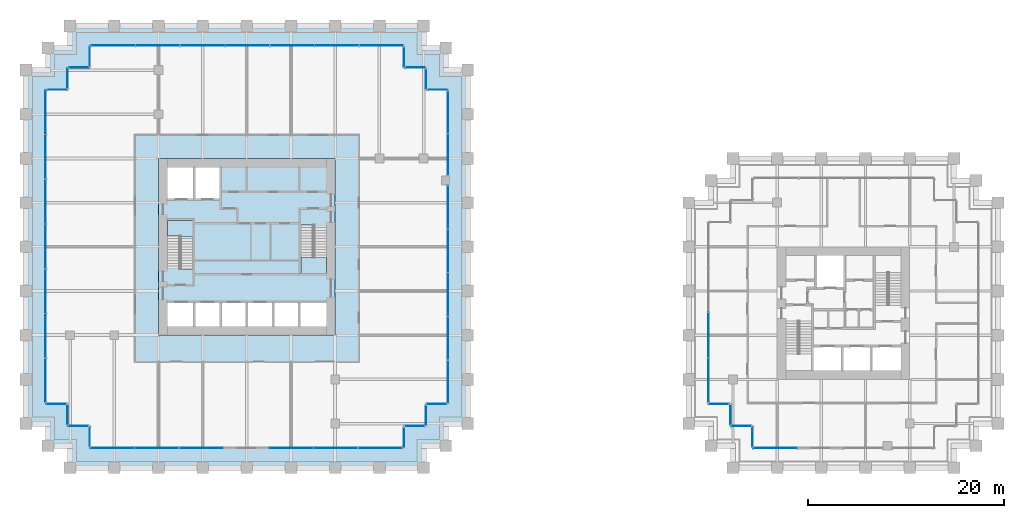
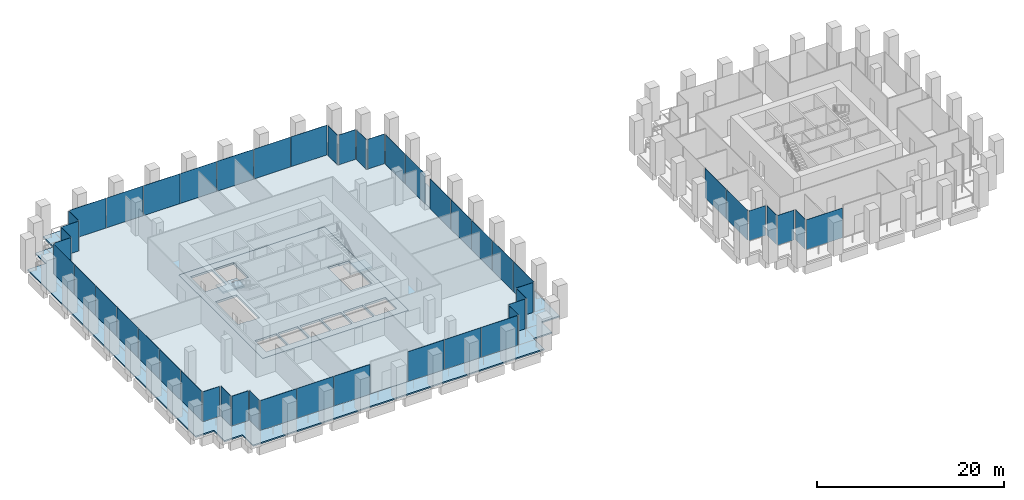
# One storey, part 28 of 36: 50 plates, 5 slabs, 30 elements without a shape of their own.
"""IFC4 building model written with IfcOpenShell, lengths in metres."""

import ifcopenshell
import ifcopenshell.guid

model = None  # the IFC model being written
_history = None  # IfcOwnerHistory: only IFC2X3 demands one
_inside = {}  # id of a spatial element -> (the spatial element, [elements in it])
_under = {}  # id of a project, library or spatial element -> (it, [spatial elements below it])
_declared = {}  # id of a project -> (the project, [libraries it declares])
_typed = {}  # id of a type object -> (the type object, [elements of that type])
_made_of = {}  # id of a material, layer set ... -> (it, [elements and type objects made of it])


def new_model(schema):
    """Start an empty IFC model of exactly this schema.

    Asked for "IFC4X3", IfcOpenShell would pick the latest addendum, in which some entities
    have other attributes; the version numbers below select the first issue.
    IFC2X3 requires an IfcOwnerHistory on every rooted entity: one is made here for all.
    """
    global model, _history
    if schema == "IFC4X3":
        model = ifcopenshell.file(schema_version=(4, 3, 0, 0))
    else:
        model = ifcopenshell.file(schema=schema)
    _inside.clear()
    _under.clear()
    _declared.clear()
    _typed.clear()
    _made_of.clear()
    _history = None
    if model.schema == "IFC2X3":
        org = make("IfcOrganization", Name="unknown")
        user = make(
            "IfcPersonAndOrganization",
            ThePerson=make("IfcPerson", FamilyName="unknown"),
            TheOrganization=org,
        )
        app = make(
            "IfcApplication",
            ApplicationDeveloper=org,
            Version="unknown",
            ApplicationFullName="unknown",
            ApplicationIdentifier="unknown",
        )
        _history = make(
            "IfcOwnerHistory",
            OwningUser=user,
            OwningApplication=app,
            ChangeAction="ADDED",
            CreationDate=0,
        )
    return model


def make(cls, **values):
    """One entity of the class cls with the attributes given. An attribute that is None is left unset."""
    return model.create_entity(
        cls, **{name: value for name, value in values.items() if value is not None}
    )


def rooted(cls, **values):
    """An entity with a GlobalId (a new one), such as an element, a storey or a relation."""
    return make(cls, GlobalId=ifcopenshell.guid.new(), OwnerHistory=_history, **values)


def si_unit(unit_type, name, prefix=None):
    """IfcSIUnit, for example si_unit("LENGTHUNIT", "METRE", prefix="MILLI")."""
    return make("IfcSIUnit", UnitType=unit_type, Prefix=prefix, Name=name)


def assignment(units):
    """IfcUnitAssignment: the units of a project."""
    return None if units is None else make("IfcUnitAssignment", Units=units)


def point(xyz):
    """IfcCartesianPoint."""
    return None if xyz is None else make("IfcCartesianPoint", Coordinates=xyz)


def direction(xyz):
    """IfcDirection."""
    return None if xyz is None else make("IfcDirection", DirectionRatios=xyz)


def frame(location, z_axis=None, x_axis=None):
    """IfcAxis2Placement3D, a coordinate frame: its origin and axes. An axis left out is left unset."""
    return make(
        "IfcAxis2Placement3D",
        Location=point(location),
        Axis=direction(z_axis),
        RefDirection=direction(x_axis),
    )


def frame_2d(location, x_axis=None):
    """IfcAxis2Placement2D, a coordinate frame in the plane: its origin and x axis."""
    return make(
        "IfcAxis2Placement2D", Location=point(location), RefDirection=direction(x_axis)
    )


def origin():
    """The frame at (0, 0, 0) with its axes left unset."""
    return frame((0.0, 0.0, 0.0))


def origin_2d():
    """The frame at (0, 0) in the plane with its x axis left unset."""
    return frame_2d((0.0, 0.0))


def place(relative_to, where):
    """IfcLocalPlacement: puts the frame where relative to a parent placement (None: the world)."""
    return make(
        "IfcLocalPlacement", PlacementRelTo=relative_to, RelativePlacement=where
    )


def context(
    kind, dimensions, precision=None, world=None, true_north=None, identifier=None
):
    """IfcGeometricRepresentationContext, for example the 3D "Model" context."""
    return make(
        "IfcGeometricRepresentationContext",
        ContextIdentifier=identifier,
        ContextType=kind,
        CoordinateSpaceDimension=dimensions,
        Precision=precision,
        WorldCoordinateSystem=world,
        TrueNorth=true_north,
    )


def subcontext(parent, identifier, kind, view, scale=None):
    """IfcGeometricRepresentationSubContext, for example "Body" below "Model"."""
    return make(
        "IfcGeometricRepresentationSubContext",
        ContextIdentifier=identifier,
        ContextType=kind,
        ParentContext=parent,
        TargetScale=scale,
        TargetView=view,
    )


def project(units=None, contexts=None):
    """IfcProject with its units and contexts."""
    return rooted(
        "IfcProject",
        Name="project",
        RepresentationContexts=contexts,
        UnitsInContext=assignment(units),
    )


def spatial(cls, under=None, at=None, **own):
    """A site, building, storey or space (cls), placed at a placement, below another one or the project."""
    s = rooted(cls, ObjectPlacement=at, **own)
    if under is not None:
        _under.setdefault(under.id(), (under, []))[1].append(s)
    return s


def polyline(points):
    """IfcPolyline through the points."""
    return make("IfcPolyline", Points=[point(p) for p in points])


def profile(cls, at=None, kind="AREA", **sizes):
    """A parametric profile (cls). Its sizes go by their IFC names, for example OverallWidth=200.0."""
    return make(cls, ProfileType=kind, Position=at, **sizes)


def rectangle(**sizes):
    """IfcRectangleProfileDef."""
    return profile("IfcRectangleProfileDef", **sizes)


def outline(outer, holes=None, kind="AREA"):
    """IfcArbitraryClosedProfileDef: a profile drawn as a closed curve; with holes, ...WithVoids."""
    if holes is None:
        return make("IfcArbitraryClosedProfileDef", ProfileType=kind, OuterCurve=outer)
    return make(
        "IfcArbitraryProfileDefWithVoids",
        ProfileType=kind,
        OuterCurve=outer,
        InnerCurves=holes,
    )


def extrude(swept, where, along, depth):
    """IfcExtrudedAreaSolid: the profile swept, set in the frame where, extruded along a direction by depth."""
    return make(
        "IfcExtrudedAreaSolid",
        SweptArea=swept,
        Position=where,
        ExtrudedDirection=direction(along),
        Depth=depth,
    )


def shape(context_of_items, identifier, shape_type, items):
    """IfcShapeRepresentation: the items that make up one representation, for example the "Body"."""
    return make(
        "IfcShapeRepresentation",
        ContextOfItems=context_of_items,
        RepresentationIdentifier=identifier,
        RepresentationType=shape_type,
        Items=items,
    )


def material(Name=None, Category=None):
    """IfcMaterial."""
    return make("IfcMaterial", Name=Name, Category=Category)


def layer(
    of_material, thickness, ventilated=None, Name=None, Category=None, Priority=None
):
    """IfcMaterialLayer: one layer of a wall or slab, of a material (None: an air gap)."""
    return make(
        "IfcMaterialLayer",
        Material=of_material,
        LayerThickness=thickness,
        IsVentilated=ventilated,
        Name=Name,
        Category=Category,
        Priority=Priority,
    )


def layer_set(layers, Name=None):
    """IfcMaterialLayerSet."""
    return make("IfcMaterialLayerSet", MaterialLayers=layers, LayerSetName=Name)


def made_of(thing, what):
    """Note that an element or type object is made of a material, layer set ...; save() writes the relation."""
    if what is not None:
        _made_of.setdefault(what.id(), (what, []))[1].append(thing)
    return thing


def type_object(cls, material=None, **own):
    """A type object (cls), such as IfcWallType, which elements share."""
    return made_of(rooted(cls, **own), material)


def element(
    cls,
    number,
    at=None,
    inside=None,
    cuts=None,
    type_object=None,
    material=None,
    context=None,
    identifier="Body",
    shape_type=None,
    held_by="IfcProductDefinitionShape",
    body=None,
    shapes=None,
    **own,
):
    """One element of the class cls, such as IfcWall. Its Tag is "e" and its number.

    at: its placement. inside: the storey or other place that contains it. cuts: it is an
    opening in that element (IfcRelVoidsElement). A single representation is given by context,
    identifier, shape_type and body (its items); several are given by shapes. held_by: the class
    of the entity that holds the representations. save() writes the other relations.
    """
    e = rooted(cls, Tag="e%d" % number, ObjectPlacement=at, **own)
    if body is not None:
        shapes = [shape(context, identifier, shape_type, body)]
    if shapes is not None:
        e.Representation = make(held_by, Representations=shapes)
    if inside is not None:
        _inside.setdefault(inside.id(), (inside, []))[1].append(e)
    if cuts is not None:
        rooted(
            "IfcRelVoidsElement", RelatingBuildingElement=cuts, RelatedOpeningElement=e
        )
    if type_object is not None:
        _typed.setdefault(type_object.id(), (type_object, []))[1].append(e)
    return made_of(e, material)


def aggregate(whole, parts):
    """IfcRelAggregates: a whole, such as a stair, and the parts it consists of."""
    return rooted("IfcRelAggregates", RelatingObject=whole, RelatedObjects=parts)


def save(model, path):
    """Write the relations noted so far, then the file.

    IfcRelAggregates (storeys below a building ...), IfcRelContainedInSpatialStructure (elements
    in a storey), IfcRelDefinesByType, IfcRelAssociatesMaterial and IfcRelDeclares: one each for
    every whole, place, type object, material and project.
    """
    for whole, parts in _under.values():
        aggregate(whole, parts)
    for where, things in _inside.values():
        rooted(
            "IfcRelContainedInSpatialStructure",
            RelatedElements=things,
            RelatingStructure=where,
        )
    for kind, things in _typed.values():
        rooted("IfcRelDefinesByType", RelatedObjects=things, RelatingType=kind)
    for what, things in _made_of.values():
        rooted("IfcRelAssociatesMaterial", RelatedObjects=things, RelatingMaterial=what)
    for by, libraries in _declared.values():
        rooted("IfcRelDeclares", RelatingContext=by, RelatedDefinitions=libraries)
    model.write(path)


model = new_model("IFC4")

# Units and contexts
model_context = context("Model", 3, precision=1e-05, world=origin(), true_north=direction((0.0, 1.0)))
body_context = subcontext(model_context, "Body", "Model", "MODEL_VIEW")
ifc_project = project(units=[si_unit("LENGTHUNIT", "METRE"), si_unit("AREAUNIT", "SQUARE_METRE"), si_unit("VOLUMEUNIT", "CUBIC_METRE"), si_unit("PLANEANGLEUNIT", "RADIAN"), si_unit("MASSUNIT", "GRAM", prefix="KILO")], contexts=[model_context])

# Site, building, storey
site_placement = place(None, origin())
site = spatial("IfcSite", under=ifc_project, at=site_placement, CompositionType="ELEMENT")
building_placement = place(site_placement, origin())
building = spatial("IfcBuilding", under=site, at=building_placement, Name="Altepetl Exchange Towers", CompositionType="ELEMENT")
storey_placement = place(building_placement, frame((0.0, 0.0, 43.0)))
storey = spatial("IfcBuildingStorey", under=building, at=storey_placement, Name="L09", CompositionType="ELEMENT", Elevation=43.0)

# Slabs
ifc_material_1 = material(Name="Concrete C40/50", Category="concrete")
ifc_layer_1 = layer(ifc_material_1, 0.175048828125)
ifc_layer_set_1 = layer_set([ifc_layer_1], Name="Concrete C40/50")
slab_type_1 = type_object("IfcSlabType", Name="Composite floor slab 175", PredefinedType="FLOOR", material=ifc_layer_set_1)
slab_1_placement = place(storey_placement, frame((0.0, 0.0, -0.175048828125)))
element("IfcSlab", 1, at=slab_1_placement, inside=storey, type_object=slab_type_1, Name="slab:A:L09:strip0", PredefinedType="FLOOR", context=body_context, shape_type="SweptSolid", body=[
    extrude(outline(polyline([(31.25, 67.75), (31.25, 65.5), (29.0, 65.5), (29.0, 33.5), (31.25, 33.5), (31.25, 31.25), (33.5, 31.25), (33.5, 29.0), (65.5, 29.0), (65.5, 31.25), (67.75, 31.25), (67.75, 33.5), (70.0, 33.5), (70.0, 65.5), (67.75, 65.5), (67.75, 67.75), (65.5, 67.75), (65.5, 70.0), (33.5, 70.0), (33.5, 67.75), (31.25, 67.75)]), holes=[polyline([(58.5, 58.5), (58.5, 40.5), (40.5, 40.5), (40.5, 58.5), (58.5, 58.5)])]), origin(), (0.0, 0.0, 1.0), 0.175048828125),
])
ifc_layer_2 = layer(ifc_material_1, 0.27490234375)
ifc_layer_set_2 = layer_set([ifc_layer_2], Name="Concrete C40/50")
slab_type_2 = type_object("IfcSlabType", Name="Core floor slab 275", PredefinedType="FLOOR", material=ifc_layer_set_2)
slab_2_placement = place(storey_placement, frame((0.0, 0.0, -0.27490234375)))
element("IfcSlab", 2, at=slab_2_placement, inside=storey, type_object=slab_type_2, Name="slab:A:L09:core0", PredefinedType="FLOOR", context=body_context, shape_type="SweptSolid", body=[
    extrude(outline(polyline([(40.5, 40.5), (58.5, 40.5), (58.5, 58.5), (40.5, 58.5), (40.5, 40.5)]), holes=[polyline([(41.39990234375, 43.800048828125), (44.06689453125, 43.800048828125), (44.06689453125, 41.39990234375), (41.39990234375, 41.39990234375), (41.39990234375, 43.800048828125)]), polyline([(44.26708984375, 43.800048828125), (46.73291015625, 43.800048828125), (46.73291015625, 41.39990234375), (44.26708984375, 41.39990234375), (44.26708984375, 43.800048828125)]), polyline([(46.93310546875, 43.800048828125), (49.39990234375, 43.800048828125), (49.39990234375, 41.39990234375), (46.93310546875, 41.39990234375), (46.93310546875, 43.800048828125)]), polyline([(52.06689453125, 43.800048828125), (52.06689453125, 41.39990234375), (49.60009765625, 41.39990234375), (49.60009765625, 43.800048828125), (52.06689453125, 43.800048828125)]), polyline([(54.73291015625, 43.800048828125), (54.73291015625, 41.39990234375), (52.26708984375, 41.39990234375), (52.26708984375, 43.800048828125), (54.73291015625, 43.800048828125)]), polyline([(54.93310546875, 43.800048828125), (57.60009765625, 43.800048828125), (57.60009765625, 41.39990234375), (54.93310546875, 41.39990234375), (54.93310546875, 43.800048828125)]), polyline([(55.0, 51.7490234375), (56.35009765625, 51.7490234375), (56.35009765625, 51.64990234375), (57.60009765625, 51.64990234375), (57.60009765625, 46.800048828125), (55.0, 46.800048828125), (55.0, 51.7490234375)]), polyline([(44.0, 47.2509765625), (42.64990234375, 47.2509765625), (42.64990234375, 47.35009765625), (41.39990234375, 47.35009765625), (41.39990234375, 52.199951171875), (44.0, 52.199951171875), (44.0, 47.2509765625)]), polyline([(44.06689453125, 57.60009765625), (44.06689453125, 54.39990234375), (41.39990234375, 54.39990234375), (41.39990234375, 57.60009765625), (44.06689453125, 57.60009765625)]), polyline([(46.73291015625, 57.60009765625), (46.73291015625, 54.39990234375), (44.26708984375, 54.39990234375), (44.26708984375, 57.60009765625), (46.73291015625, 57.60009765625)])]), origin(), (0.0, 0.0, 1.0), 0.27490234375),
])

# Curtain wall, plate
ifc_material_2 = material(Name="Aluminium 6063-T6 glazing", Category="aluminium")
curtain_wall_type = type_object("IfcCurtainWallType", Name="Trading floor glazing system", PredefinedType="NOTDEFINED", material=ifc_material_2)
curtain_wall_1_placement = place(storey_placement, origin())
curtain_wall_1 = element("IfcCurtainWall", 3, at=curtain_wall_1_placement, inside=storey, type_object=curtain_wall_type, Name="CW2 run", PredefinedType="NOTDEFINED")
ifc_material_3 = material(Name="Glass 8-20-8 solar control", Category="glass")
ifc_layer_3 = layer(ifc_material_3, 0.035888671875)
ifc_layer_set_3 = layer_set([ifc_layer_3], Name="Glass 8-20-8 solar control")
plate_type = type_object("IfcPlateType", Name="Glass panel 36 double glazed", PredefinedType="CURTAIN_PANEL", material=ifc_layer_set_3)
plate_1_placement = place(storey_placement, frame((30.175048828125, 65.5, 0.0), z_axis=(0.0, 0.0, 1.0), x_axis=(-1.0, 0.0, 0.0)))
plate_1 = element("IfcPlate", 4, at=plate_1_placement, type_object=plate_type, Name="GP2 panel", PredefinedType="CURTAIN_PANEL", context=body_context, shape_type="SweptSolid", body=[
    extrude(rectangle(XDim=2.030029296875, YDim=0.035888671875, at=origin_2d()), origin(), (0.0, 0.0, 1.0), 3.89990234375),
])
aggregate(curtain_wall_1, [plate_1])

# Curtain wall, plates
curtain_wall_2_placement = place(storey_placement, origin())
curtain_wall_2 = element("IfcCurtainWall", 5, at=curtain_wall_2_placement, inside=storey, type_object=curtain_wall_type, Name="CW2 run", PredefinedType="NOTDEFINED")
plate_2_placement = place(storey_placement, frame((29.0, 63.20654296875, 0.0), z_axis=(0.0, 0.0, 1.0), x_axis=(0.0, -1.0, 0.0)))
plate_2 = element("IfcPlate", 6, at=plate_2_placement, type_object=plate_type, Name="GP2 panel", PredefinedType="CURTAIN_PANEL", context=body_context, shape_type="SweptSolid", body=[
    extrude(rectangle(XDim=4.467041015625, YDim=0.035888671875, at=origin_2d()), origin(), (0.0, 0.0, 1.0), 3.89990234375),
])
plate_3_placement = place(storey_placement, frame((29.0, 58.664306640625, 0.0), z_axis=(0.0, 0.0, 1.0), x_axis=(0.0, -1.0, 0.0)))
plate_3 = element("IfcPlate", 7, at=plate_3_placement, type_object=plate_type, Name="GP2 panel", PredefinedType="CURTAIN_PANEL", context=body_context, shape_type="SweptSolid", body=[
    extrude(rectangle(XDim=4.4970703125, YDim=0.035888671875, at=origin_2d()), origin(), (0.0, 0.0, 1.0), 3.89990234375),
])
plate_4_placement = place(storey_placement, frame((29.0, 54.107177734375, 0.0), z_axis=(0.0, 0.0, 1.0), x_axis=(0.0, -1.0, 0.0)))
plate_4 = element("IfcPlate", 8, at=plate_4_placement, type_object=plate_type, Name="GP2 panel", PredefinedType="CURTAIN_PANEL", context=body_context, shape_type="SweptSolid", body=[
    extrude(rectangle(XDim=4.4970703125, YDim=0.035888671875, at=origin_2d()), origin(), (0.0, 0.0, 1.0), 3.89990234375),
])
plate_5_placement = place(storey_placement, frame((29.0, 49.550048828125, 0.0), z_axis=(0.0, 0.0, 1.0), x_axis=(0.0, -1.0, 0.0)))
plate_5 = element("IfcPlate", 9, at=plate_5_placement, type_object=plate_type, Name="GP2 panel", PredefinedType="CURTAIN_PANEL", context=body_context, shape_type="SweptSolid", body=[
    extrude(rectangle(XDim=4.4970703125, YDim=0.035888671875, at=origin_2d()), origin(), (0.0, 0.0, 1.0), 3.89990234375),
])
plate_6_placement = place(storey_placement, frame((29.0, 44.992919921875, 0.0), z_axis=(0.0, 0.0, 1.0), x_axis=(0.0, -1.0, 0.0)))
plate_6 = element("IfcPlate", 10, at=plate_6_placement, type_object=plate_type, Name="GP2 panel", PredefinedType="CURTAIN_PANEL", context=body_context, shape_type="SweptSolid", body=[
    extrude(rectangle(XDim=4.4970703125, YDim=0.035888671875, at=origin_2d()), origin(), (0.0, 0.0, 1.0), 3.89990234375),
])
plate_7_placement = place(storey_placement, frame((29.0, 40.435791015625, 0.0), z_axis=(0.0, 0.0, 1.0), x_axis=(0.0, -1.0, 0.0)))
plate_7 = element("IfcPlate", 11, at=plate_7_placement, type_object=plate_type, Name="GP2 panel", PredefinedType="CURTAIN_PANEL", context=body_context, shape_type="SweptSolid", body=[
    extrude(rectangle(XDim=4.4970703125, YDim=0.035888671875, at=origin_2d()), origin(), (0.0, 0.0, 1.0), 3.89990234375),
])
plate_8_placement = place(storey_placement, frame((29.0, 35.8935546875, 0.0), z_axis=(0.0, 0.0, 1.0), x_axis=(0.0, -1.0, 0.0)))
plate_8 = element("IfcPlate", 12, at=plate_8_placement, type_object=plate_type, Name="GP2 panel", PredefinedType="CURTAIN_PANEL", context=body_context, shape_type="SweptSolid", body=[
    extrude(rectangle(XDim=4.467041015625, YDim=0.035888671875, at=origin_2d()), origin(), (0.0, 0.0, 1.0), 3.89990234375),
])
aggregate(curtain_wall_2, [plate_2, plate_3, plate_4, plate_5, plate_6, plate_7, plate_8])

# Curtain wall, plate
curtain_wall_3_placement = place(storey_placement, origin())
curtain_wall_3 = element("IfcCurtainWall", 13, at=curtain_wall_3_placement, inside=storey, type_object=curtain_wall_type, Name="CW2 run", PredefinedType="NOTDEFINED")
plate_9_placement = place(storey_placement, frame((30.074951171875, 33.5, 0.0)))
plate_9 = element("IfcPlate", 14, at=plate_9_placement, type_object=plate_type, Name="GP2 panel", PredefinedType="CURTAIN_PANEL", context=body_context, shape_type="SweptSolid", body=[
    extrude(rectangle(XDim=2.030029296875, YDim=0.035888671875, at=origin_2d()), origin(), (0.0, 0.0, 1.0), 3.89990234375),
])
aggregate(curtain_wall_3, [plate_9])

curtain_wall_4_placement = place(storey_placement, origin())
curtain_wall_4 = element("IfcCurtainWall", 15, at=curtain_wall_4_placement, inside=storey, type_object=curtain_wall_type, Name="CW2 run", PredefinedType="NOTDEFINED")
plate_10_placement = place(storey_placement, frame((31.25, 32.425048828125, 0.0), z_axis=(0.0, 0.0, 1.0), x_axis=(0.0, -1.0, 0.0)))
plate_10 = element("IfcPlate", 16, at=plate_10_placement, type_object=plate_type, Name="GP2 panel", PredefinedType="CURTAIN_PANEL", context=body_context, shape_type="SweptSolid", body=[
    extrude(rectangle(XDim=2.030029296875, YDim=0.035888671875, at=origin_2d()), origin(), (0.0, 0.0, 1.0), 3.89990234375),
])
aggregate(curtain_wall_4, [plate_10])

curtain_wall_5_placement = place(storey_placement, origin())
curtain_wall_5 = element("IfcCurtainWall", 17, at=curtain_wall_5_placement, inside=storey, type_object=curtain_wall_type, Name="CW2 run", PredefinedType="NOTDEFINED")
plate_11_placement = place(storey_placement, frame((32.324951171875, 31.25, 0.0)))
plate_11 = element("IfcPlate", 18, at=plate_11_placement, type_object=plate_type, Name="GP2 panel", PredefinedType="CURTAIN_PANEL", context=body_context, shape_type="SweptSolid", body=[
    extrude(rectangle(XDim=2.030029296875, YDim=0.035888671875, at=origin_2d()), origin(), (0.0, 0.0, 1.0), 3.89990234375),
])
aggregate(curtain_wall_5, [plate_11])

curtain_wall_6_placement = place(storey_placement, origin())
curtain_wall_6 = element("IfcCurtainWall", 19, at=curtain_wall_6_placement, inside=storey, type_object=curtain_wall_type, Name="CW2 run", PredefinedType="NOTDEFINED")
plate_12_placement = place(storey_placement, frame((33.5, 30.175048828125, 0.0), z_axis=(0.0, 0.0, 1.0), x_axis=(0.0, -1.0, 0.0)))
plate_12 = element("IfcPlate", 20, at=plate_12_placement, type_object=plate_type, Name="GP2 panel", PredefinedType="CURTAIN_PANEL", context=body_context, shape_type="SweptSolid", body=[
    extrude(rectangle(XDim=2.030029296875, YDim=0.035888671875, at=origin_2d()), origin(), (0.0, 0.0, 1.0), 3.89990234375),
])
aggregate(curtain_wall_6, [plate_12])

# Curtain wall, plates
curtain_wall_7_placement = place(storey_placement, origin())
curtain_wall_7 = element("IfcCurtainWall", 21, at=curtain_wall_7_placement, inside=storey, type_object=curtain_wall_type, Name="CW2 run", PredefinedType="NOTDEFINED")
plate_13_placement = place(storey_placement, frame((35.79345703125, 29.0, 0.0)))
plate_13 = element("IfcPlate", 22, at=plate_13_placement, type_object=plate_type, Name="GP2 panel", PredefinedType="CURTAIN_PANEL", context=body_context, shape_type="SweptSolid", body=[
    extrude(rectangle(XDim=4.467041015625, YDim=0.035888671875, at=origin_2d()), origin(), (0.0, 0.0, 1.0), 3.89990234375),
])
plate_14_placement = place(storey_placement, frame((40.335693359375, 29.0, 0.0)))
plate_14 = element("IfcPlate", 23, at=plate_14_placement, type_object=plate_type, Name="GP2 panel", PredefinedType="CURTAIN_PANEL", context=body_context, shape_type="SweptSolid", body=[
    extrude(rectangle(XDim=4.4970703125, YDim=0.035888671875, at=origin_2d()), origin(), (0.0, 0.0, 1.0), 3.89990234375),
])
plate_15_placement = place(storey_placement, frame((44.8779296875, 29.0, 0.0)))
plate_15 = element("IfcPlate", 24, at=plate_15_placement, type_object=plate_type, Name="GP2 panel", PredefinedType="CURTAIN_PANEL", context=body_context, shape_type="SweptSolid", body=[
    extrude(rectangle(XDim=4.467041015625, YDim=0.035888671875, at=origin_2d()), origin(), (0.0, 0.0, 1.0), 3.89990234375),
])
aggregate(curtain_wall_7, [plate_13, plate_14, plate_15])

curtain_wall_8_placement = place(storey_placement, origin())
curtain_wall_8 = element("IfcCurtainWall", 25, at=curtain_wall_8_placement, inside=storey, type_object=curtain_wall_type, Name="CW2 run", PredefinedType="NOTDEFINED")
plate_16_placement = place(storey_placement, frame((54.022216796875, 29.0, 0.0)))
plate_16 = element("IfcPlate", 26, at=plate_16_placement, type_object=plate_type, Name="GP2 panel", PredefinedType="CURTAIN_PANEL", context=body_context, shape_type="SweptSolid", body=[
    extrude(rectangle(XDim=4.467041015625, YDim=0.035888671875, at=origin_2d()), origin(), (0.0, 0.0, 1.0), 3.89990234375),
])
plate_17_placement = place(storey_placement, frame((58.564208984375, 29.0, 0.0)))
plate_17 = element("IfcPlate", 27, at=plate_17_placement, type_object=plate_type, Name="GP2 panel", PredefinedType="CURTAIN_PANEL", context=body_context, shape_type="SweptSolid", body=[
    extrude(rectangle(XDim=4.4970703125, YDim=0.035888671875, at=origin_2d()), origin(), (0.0, 0.0, 1.0), 3.89990234375),
])
plate_18_placement = place(storey_placement, frame((63.1064453125, 29.0, 0.0)))
plate_18 = element("IfcPlate", 28, at=plate_18_placement, type_object=plate_type, Name="GP2 panel", PredefinedType="CURTAIN_PANEL", context=body_context, shape_type="SweptSolid", body=[
    extrude(rectangle(XDim=4.467041015625, YDim=0.035888671875, at=origin_2d()), origin(), (0.0, 0.0, 1.0), 3.89990234375),
])
aggregate(curtain_wall_8, [plate_16, plate_17, plate_18])

# Curtain wall, plate
curtain_wall_9_placement = place(storey_placement, origin())
curtain_wall_9 = element("IfcCurtainWall", 29, at=curtain_wall_9_placement, inside=storey, type_object=curtain_wall_type, Name="CW2 run", PredefinedType="NOTDEFINED")
plate_19_placement = place(storey_placement, frame((65.5, 30.074951171875, 0.0), z_axis=(0.0, 0.0, 1.0), x_axis=(0.0, 1.0, 0.0)))
plate_19 = element("IfcPlate", 30, at=plate_19_placement, type_object=plate_type, Name="GP2 panel", PredefinedType="CURTAIN_PANEL", context=body_context, shape_type="SweptSolid", body=[
    extrude(rectangle(XDim=2.030029296875, YDim=0.035888671875, at=origin_2d()), origin(), (0.0, 0.0, 1.0), 3.89990234375),
])
aggregate(curtain_wall_9, [plate_19])

curtain_wall_10_placement = place(storey_placement, origin())
curtain_wall_10 = element("IfcCurtainWall", 31, at=curtain_wall_10_placement, inside=storey, type_object=curtain_wall_type, Name="CW2 run", PredefinedType="NOTDEFINED")
plate_20_placement = place(storey_placement, frame((66.574951171875, 31.25, 0.0)))
plate_20 = element("IfcPlate", 32, at=plate_20_placement, type_object=plate_type, Name="GP2 panel", PredefinedType="CURTAIN_PANEL", context=body_context, shape_type="SweptSolid", body=[
    extrude(rectangle(XDim=2.030029296875, YDim=0.035888671875, at=origin_2d()), origin(), (0.0, 0.0, 1.0), 3.89990234375),
])
aggregate(curtain_wall_10, [plate_20])

curtain_wall_11_placement = place(storey_placement, origin())
curtain_wall_11 = element("IfcCurtainWall", 33, at=curtain_wall_11_placement, inside=storey, type_object=curtain_wall_type, Name="CW2 run", PredefinedType="NOTDEFINED")
plate_21_placement = place(storey_placement, frame((67.75, 32.324951171875, 0.0), z_axis=(0.0, 0.0, 1.0), x_axis=(0.0, 1.0, 0.0)))
plate_21 = element("IfcPlate", 34, at=plate_21_placement, type_object=plate_type, Name="GP2 panel", PredefinedType="CURTAIN_PANEL", context=body_context, shape_type="SweptSolid", body=[
    extrude(rectangle(XDim=2.030029296875, YDim=0.035888671875, at=origin_2d()), origin(), (0.0, 0.0, 1.0), 3.89990234375),
])
aggregate(curtain_wall_11, [plate_21])

curtain_wall_12_placement = place(storey_placement, origin())
curtain_wall_12 = element("IfcCurtainWall", 35, at=curtain_wall_12_placement, inside=storey, type_object=curtain_wall_type, Name="CW2 run", PredefinedType="NOTDEFINED")
plate_22_placement = place(storey_placement, frame((68.824951171875, 33.5, 0.0)))
plate_22 = element("IfcPlate", 36, at=plate_22_placement, type_object=plate_type, Name="GP2 panel", PredefinedType="CURTAIN_PANEL", context=body_context, shape_type="SweptSolid", body=[
    extrude(rectangle(XDim=2.030029296875, YDim=0.035888671875, at=origin_2d()), origin(), (0.0, 0.0, 1.0), 3.89990234375),
])
aggregate(curtain_wall_12, [plate_22])

# Curtain wall, plates
curtain_wall_13_placement = place(storey_placement, origin())
curtain_wall_13 = element("IfcCurtainWall", 37, at=curtain_wall_13_placement, inside=storey, type_object=curtain_wall_type, Name="CW2 run", PredefinedType="NOTDEFINED")
plate_23_placement = place(storey_placement, frame((70.0, 35.742919921875, 0.0), z_axis=(0.0, 0.0, 1.0), x_axis=(0.0, 1.0, 0.0)))
plate_23 = element("IfcPlate", 38, at=plate_23_placement, type_object=plate_type, Name="GP2 panel", PredefinedType="CURTAIN_PANEL", context=body_context, shape_type="SweptSolid", body=[
    extrude(rectangle(XDim=4.365966796875, YDim=0.035888671875, at=origin_2d()), origin(), (0.0, 0.0, 1.0), 3.89990234375),
])
plate_24_placement = place(storey_placement, frame((70.0, 40.18408203125, 0.0), z_axis=(0.0, 0.0, 1.0), x_axis=(0.0, 1.0, 0.0)))
plate_24 = element("IfcPlate", 39, at=plate_24_placement, type_object=plate_type, Name="GP2 panel", PredefinedType="CURTAIN_PANEL", context=body_context, shape_type="SweptSolid", body=[
    extrude(rectangle(XDim=4.39599609375, YDim=0.035888671875, at=origin_2d()), origin(), (0.0, 0.0, 1.0), 3.89990234375),
])
plate_25_placement = place(storey_placement, frame((70.0, 44.639892578125, 0.0), z_axis=(0.0, 0.0, 1.0), x_axis=(0.0, 1.0, 0.0)))
plate_25 = element("IfcPlate", 40, at=plate_25_placement, type_object=plate_type, Name="GP2 panel", PredefinedType="CURTAIN_PANEL", context=body_context, shape_type="SweptSolid", body=[
    extrude(rectangle(XDim=4.39599609375, YDim=0.035888671875, at=origin_2d()), origin(), (0.0, 0.0, 1.0), 3.89990234375),
])
plate_26_placement = place(storey_placement, frame((70.0, 49.095947265625, 0.0), z_axis=(0.0, 0.0, 1.0), x_axis=(0.0, 1.0, 0.0)))
plate_26 = element("IfcPlate", 41, at=plate_26_placement, type_object=plate_type, Name="GP2 panel", PredefinedType="CURTAIN_PANEL", context=body_context, shape_type="SweptSolid", body=[
    extrude(rectangle(XDim=4.39599609375, YDim=0.035888671875, at=origin_2d()), origin(), (0.0, 0.0, 1.0), 3.89990234375),
])
plate_27_placement = place(storey_placement, frame((70.0, 53.537109375, 0.0), z_axis=(0.0, 0.0, 1.0), x_axis=(0.0, 1.0, 0.0)))
plate_27 = element("IfcPlate", 42, at=plate_27_placement, type_object=plate_type, Name="GP2 panel", PredefinedType="CURTAIN_PANEL", context=body_context, shape_type="SweptSolid", body=[
    extrude(rectangle(XDim=4.365966796875, YDim=0.035888671875, at=origin_2d()), origin(), (0.0, 0.0, 1.0), 3.89990234375),
])
aggregate(curtain_wall_13, [plate_23, plate_24, plate_25, plate_26, plate_27])

curtain_wall_14_placement = place(storey_placement, origin())
curtain_wall_14 = element("IfcCurtainWall", 43, at=curtain_wall_14_placement, inside=storey, type_object=curtain_wall_type, Name="CW2 run", PredefinedType="NOTDEFINED")
plate_28_placement = place(storey_placement, frame((70.0, 58.905029296875, 0.0), z_axis=(0.0, 0.0, 1.0), x_axis=(0.0, 1.0, 0.0)))
plate_28 = element("IfcPlate", 44, at=plate_28_placement, type_object=plate_type, Name="GP2 panel", PredefinedType="CURTAIN_PANEL", context=body_context, shape_type="SweptSolid", body=[
    extrude(rectangle(XDim=4.25, YDim=0.035888671875, at=origin_2d()), origin(), (0.0, 0.0, 1.0), 3.89990234375),
])
plate_29_placement = place(storey_placement, frame((70.0, 63.215087890625, 0.0), z_axis=(0.0, 0.0, 1.0), x_axis=(0.0, 1.0, 0.0)))
plate_29 = element("IfcPlate", 45, at=plate_29_placement, type_object=plate_type, Name="GP2 panel", PredefinedType="CURTAIN_PANEL", context=body_context, shape_type="SweptSolid", body=[
    extrude(rectangle(XDim=4.25, YDim=0.035888671875, at=origin_2d()), origin(), (0.0, 0.0, 1.0), 3.89990234375),
])
aggregate(curtain_wall_14, [plate_28, plate_29])

# Curtain wall, plate
curtain_wall_15_placement = place(storey_placement, origin())
curtain_wall_15 = element("IfcCurtainWall", 46, at=curtain_wall_15_placement, inside=storey, type_object=curtain_wall_type, Name="CW2 run", PredefinedType="NOTDEFINED")
plate_30_placement = place(storey_placement, frame((68.925048828125, 65.5, 0.0), z_axis=(0.0, 0.0, 1.0), x_axis=(-1.0, 0.0, 0.0)))
plate_30 = element("IfcPlate", 47, at=plate_30_placement, type_object=plate_type, Name="GP2 panel", PredefinedType="CURTAIN_PANEL", context=body_context, shape_type="SweptSolid", body=[
    extrude(rectangle(XDim=2.030029296875, YDim=0.035888671875, at=origin_2d()), origin(), (0.0, 0.0, 1.0), 3.89990234375),
])
aggregate(curtain_wall_15, [plate_30])

curtain_wall_16_placement = place(storey_placement, origin())
curtain_wall_16 = element("IfcCurtainWall", 48, at=curtain_wall_16_placement, inside=storey, type_object=curtain_wall_type, Name="CW2 run", PredefinedType="NOTDEFINED")
plate_31_placement = place(storey_placement, frame((67.75, 66.574951171875, 0.0), z_axis=(0.0, 0.0, 1.0), x_axis=(0.0, 1.0, 0.0)))
plate_31 = element("IfcPlate", 49, at=plate_31_placement, type_object=plate_type, Name="GP2 panel", PredefinedType="CURTAIN_PANEL", context=body_context, shape_type="SweptSolid", body=[
    extrude(rectangle(XDim=2.030029296875, YDim=0.035888671875, at=origin_2d()), origin(), (0.0, 0.0, 1.0), 3.89990234375),
])
aggregate(curtain_wall_16, [plate_31])

curtain_wall_17_placement = place(storey_placement, origin())
curtain_wall_17 = element("IfcCurtainWall", 50, at=curtain_wall_17_placement, inside=storey, type_object=curtain_wall_type, Name="CW2 run", PredefinedType="NOTDEFINED")
plate_32_placement = place(storey_placement, frame((66.675048828125, 67.75, 0.0), z_axis=(0.0, 0.0, 1.0), x_axis=(-1.0, 0.0, 0.0)))
plate_32 = element("IfcPlate", 51, at=plate_32_placement, type_object=plate_type, Name="GP2 panel", PredefinedType="CURTAIN_PANEL", context=body_context, shape_type="SweptSolid", body=[
    extrude(rectangle(XDim=2.030029296875, YDim=0.035888671875, at=origin_2d()), origin(), (0.0, 0.0, 1.0), 3.89990234375),
])
aggregate(curtain_wall_17, [plate_32])

curtain_wall_18_placement = place(storey_placement, origin())
curtain_wall_18 = element("IfcCurtainWall", 52, at=curtain_wall_18_placement, inside=storey, type_object=curtain_wall_type, Name="CW2 run", PredefinedType="NOTDEFINED")
plate_33_placement = place(storey_placement, frame((65.5, 68.824951171875, 0.0), z_axis=(0.0, 0.0, 1.0), x_axis=(0.0, 1.0, 0.0)))
plate_33 = element("IfcPlate", 53, at=plate_33_placement, type_object=plate_type, Name="GP2 panel", PredefinedType="CURTAIN_PANEL", context=body_context, shape_type="SweptSolid", body=[
    extrude(rectangle(XDim=2.030029296875, YDim=0.035888671875, at=origin_2d()), origin(), (0.0, 0.0, 1.0), 3.89990234375),
])
aggregate(curtain_wall_18, [plate_33])

# Curtain wall, plates
curtain_wall_19_placement = place(storey_placement, origin())
curtain_wall_19 = element("IfcCurtainWall", 54, at=curtain_wall_19_placement, inside=storey, type_object=curtain_wall_type, Name="CW2 run", PredefinedType="NOTDEFINED")
plate_34_placement = place(storey_placement, frame((63.20654296875, 70.0, 0.0), z_axis=(0.0, 0.0, 1.0), x_axis=(-1.0, 0.0, 0.0)))
plate_34 = element("IfcPlate", 55, at=plate_34_placement, type_object=plate_type, Name="GP2 panel", PredefinedType="CURTAIN_PANEL", context=body_context, shape_type="SweptSolid", body=[
    extrude(rectangle(XDim=4.467041015625, YDim=0.035888671875, at=origin_2d()), origin(), (0.0, 0.0, 1.0), 3.89990234375),
])
plate_35_placement = place(storey_placement, frame((58.664306640625, 70.0, 0.0), z_axis=(0.0, 0.0, 1.0), x_axis=(-1.0, 0.0, 0.0)))
plate_35 = element("IfcPlate", 56, at=plate_35_placement, type_object=plate_type, Name="GP2 panel", PredefinedType="CURTAIN_PANEL", context=body_context, shape_type="SweptSolid", body=[
    extrude(rectangle(XDim=4.4970703125, YDim=0.035888671875, at=origin_2d()), origin(), (0.0, 0.0, 1.0), 3.89990234375),
])
plate_36_placement = place(storey_placement, frame((54.107177734375, 70.0, 0.0), z_axis=(0.0, 0.0, 1.0), x_axis=(-1.0, 0.0, 0.0)))
plate_36 = element("IfcPlate", 57, at=plate_36_placement, type_object=plate_type, Name="GP2 panel", PredefinedType="CURTAIN_PANEL", context=body_context, shape_type="SweptSolid", body=[
    extrude(rectangle(XDim=4.4970703125, YDim=0.035888671875, at=origin_2d()), origin(), (0.0, 0.0, 1.0), 3.89990234375),
])
plate_37_placement = place(storey_placement, frame((49.550048828125, 70.0, 0.0), z_axis=(0.0, 0.0, 1.0), x_axis=(-1.0, 0.0, 0.0)))
plate_37 = element("IfcPlate", 58, at=plate_37_placement, type_object=plate_type, Name="GP2 panel", PredefinedType="CURTAIN_PANEL", context=body_context, shape_type="SweptSolid", body=[
    extrude(rectangle(XDim=4.4970703125, YDim=0.035888671875, at=origin_2d()), origin(), (0.0, 0.0, 1.0), 3.89990234375),
])
plate_38_placement = place(storey_placement, frame((44.992919921875, 70.0, 0.0), z_axis=(0.0, 0.0, 1.0), x_axis=(-1.0, 0.0, 0.0)))
plate_38 = element("IfcPlate", 59, at=plate_38_placement, type_object=plate_type, Name="GP2 panel", PredefinedType="CURTAIN_PANEL", context=body_context, shape_type="SweptSolid", body=[
    extrude(rectangle(XDim=4.4970703125, YDim=0.035888671875, at=origin_2d()), origin(), (0.0, 0.0, 1.0), 3.89990234375),
])
plate_39_placement = place(storey_placement, frame((40.435791015625, 70.0, 0.0), z_axis=(0.0, 0.0, 1.0), x_axis=(-1.0, 0.0, 0.0)))
plate_39 = element("IfcPlate", 60, at=plate_39_placement, type_object=plate_type, Name="GP2 panel", PredefinedType="CURTAIN_PANEL", context=body_context, shape_type="SweptSolid", body=[
    extrude(rectangle(XDim=4.4970703125, YDim=0.035888671875, at=origin_2d()), origin(), (0.0, 0.0, 1.0), 3.89990234375),
])
plate_40_placement = place(storey_placement, frame((35.8935546875, 70.0, 0.0), z_axis=(0.0, 0.0, 1.0), x_axis=(-1.0, 0.0, 0.0)))
plate_40 = element("IfcPlate", 61, at=plate_40_placement, type_object=plate_type, Name="GP2 panel", PredefinedType="CURTAIN_PANEL", context=body_context, shape_type="SweptSolid", body=[
    extrude(rectangle(XDim=4.467041015625, YDim=0.035888671875, at=origin_2d()), origin(), (0.0, 0.0, 1.0), 3.89990234375),
])
aggregate(curtain_wall_19, [plate_34, plate_35, plate_36, plate_37, plate_38, plate_39, plate_40])

# Curtain wall, plate
curtain_wall_20_placement = place(storey_placement, origin())
curtain_wall_20 = element("IfcCurtainWall", 62, at=curtain_wall_20_placement, inside=storey, type_object=curtain_wall_type, Name="CW2 run", PredefinedType="NOTDEFINED")
plate_41_placement = place(storey_placement, frame((33.5, 68.925048828125, 0.0), z_axis=(0.0, 0.0, 1.0), x_axis=(0.0, -1.0, 0.0)))
plate_41 = element("IfcPlate", 63, at=plate_41_placement, type_object=plate_type, Name="GP2 panel", PredefinedType="CURTAIN_PANEL", context=body_context, shape_type="SweptSolid", body=[
    extrude(rectangle(XDim=2.030029296875, YDim=0.035888671875, at=origin_2d()), origin(), (0.0, 0.0, 1.0), 3.89990234375),
])
aggregate(curtain_wall_20, [plate_41])

curtain_wall_21_placement = place(storey_placement, origin())
curtain_wall_21 = element("IfcCurtainWall", 64, at=curtain_wall_21_placement, inside=storey, type_object=curtain_wall_type, Name="CW2 run", PredefinedType="NOTDEFINED")
plate_42_placement = place(storey_placement, frame((32.425048828125, 67.75, 0.0), z_axis=(0.0, 0.0, 1.0), x_axis=(-1.0, 0.0, 0.0)))
plate_42 = element("IfcPlate", 65, at=plate_42_placement, type_object=plate_type, Name="GP2 panel", PredefinedType="CURTAIN_PANEL", context=body_context, shape_type="SweptSolid", body=[
    extrude(rectangle(XDim=2.030029296875, YDim=0.035888671875, at=origin_2d()), origin(), (0.0, 0.0, 1.0), 3.89990234375),
])
aggregate(curtain_wall_21, [plate_42])

curtain_wall_22_placement = place(storey_placement, origin())
curtain_wall_22 = element("IfcCurtainWall", 66, at=curtain_wall_22_placement, inside=storey, type_object=curtain_wall_type, Name="CW2 run", PredefinedType="NOTDEFINED")
plate_43_placement = place(storey_placement, frame((31.25, 66.675048828125, 0.0), z_axis=(0.0, 0.0, 1.0), x_axis=(0.0, -1.0, 0.0)))
plate_43 = element("IfcPlate", 67, at=plate_43_placement, type_object=plate_type, Name="GP2 panel", PredefinedType="CURTAIN_PANEL", context=body_context, shape_type="SweptSolid", body=[
    extrude(rectangle(XDim=2.030029296875, YDim=0.035888671875, at=origin_2d()), origin(), (0.0, 0.0, 1.0), 3.89990234375),
])
aggregate(curtain_wall_22, [plate_43])

# Curtain wall, plates
curtain_wall_23_placement = place(storey_placement, origin())
curtain_wall_23 = element("IfcCurtainWall", 68, at=curtain_wall_23_placement, inside=storey, type_object=curtain_wall_type, Name="CW2 run", PredefinedType="NOTDEFINED")
plate_44_placement = place(storey_placement, frame((96.5, 40.5, 0.0), z_axis=(0.0, 0.0, 1.0), x_axis=(0.0, -1.0, 0.0)))
plate_44 = element("IfcPlate", 69, at=plate_44_placement, type_object=plate_type, Name="GP2 panel", PredefinedType="CURTAIN_PANEL", context=body_context, shape_type="SweptSolid", body=[
    extrude(rectangle(XDim=4.5400390625, YDim=0.035888671875, at=origin_2d()), origin(), (0.0, 0.0, 1.0), 3.89990234375),
])
plate_45_placement = place(storey_placement, frame((96.5, 35.9150390625, 0.0), z_axis=(0.0, 0.0, 1.0), x_axis=(0.0, -1.0, 0.0)))
plate_45 = element("IfcPlate", 70, at=plate_45_placement, type_object=plate_type, Name="GP2 panel", PredefinedType="CURTAIN_PANEL", context=body_context, shape_type="SweptSolid", body=[
    extrude(rectangle(XDim=4.510009765625, YDim=0.035888671875, at=origin_2d()), origin(), (0.0, 0.0, 1.0), 3.89990234375),
])
aggregate(curtain_wall_23, [plate_44, plate_45])

# Curtain wall, plate
curtain_wall_24_placement = place(storey_placement, origin())
curtain_wall_24 = element("IfcCurtainWall", 71, at=curtain_wall_24_placement, inside=storey, type_object=curtain_wall_type, Name="CW2 run", PredefinedType="NOTDEFINED")
plate_46_placement = place(storey_placement, frame((97.574951171875, 33.5, 0.0)))
plate_46 = element("IfcPlate", 72, at=plate_46_placement, type_object=plate_type, Name="GP2 panel", PredefinedType="CURTAIN_PANEL", context=body_context, shape_type="SweptSolid", body=[
    extrude(rectangle(XDim=2.030029296875, YDim=0.035888671875, at=origin_2d()), origin(), (0.0, 0.0, 1.0), 3.89990234375),
])
aggregate(curtain_wall_24, [plate_46])

curtain_wall_25_placement = place(storey_placement, origin())
curtain_wall_25 = element("IfcCurtainWall", 73, at=curtain_wall_25_placement, inside=storey, type_object=curtain_wall_type, Name="CW2 run", PredefinedType="NOTDEFINED")
plate_47_placement = place(storey_placement, frame((98.75, 32.425048828125, 0.0), z_axis=(0.0, 0.0, 1.0), x_axis=(0.0, -1.0, 0.0)))
plate_47 = element("IfcPlate", 74, at=plate_47_placement, type_object=plate_type, Name="GP2 panel", PredefinedType="CURTAIN_PANEL", context=body_context, shape_type="SweptSolid", body=[
    extrude(rectangle(XDim=2.030029296875, YDim=0.035888671875, at=origin_2d()), origin(), (0.0, 0.0, 1.0), 3.89990234375),
])
aggregate(curtain_wall_25, [plate_47])

curtain_wall_26_placement = place(storey_placement, origin())
curtain_wall_26 = element("IfcCurtainWall", 75, at=curtain_wall_26_placement, inside=storey, type_object=curtain_wall_type, Name="CW2 run", PredefinedType="NOTDEFINED")
plate_48_placement = place(storey_placement, frame((99.824951171875, 31.25, 0.0)))
plate_48 = element("IfcPlate", 76, at=plate_48_placement, type_object=plate_type, Name="GP2 panel", PredefinedType="CURTAIN_PANEL", context=body_context, shape_type="SweptSolid", body=[
    extrude(rectangle(XDim=2.030029296875, YDim=0.035888671875, at=origin_2d()), origin(), (0.0, 0.0, 1.0), 3.89990234375),
])
aggregate(curtain_wall_26, [plate_48])

curtain_wall_27_placement = place(storey_placement, origin())
curtain_wall_27 = element("IfcCurtainWall", 77, at=curtain_wall_27_placement, inside=storey, type_object=curtain_wall_type, Name="CW2 run", PredefinedType="NOTDEFINED")
plate_49_placement = place(storey_placement, frame((101.0, 30.175048828125, 0.0), z_axis=(0.0, 0.0, 1.0), x_axis=(0.0, -1.0, 0.0)))
plate_49 = element("IfcPlate", 78, at=plate_49_placement, type_object=plate_type, Name="GP2 panel", PredefinedType="CURTAIN_PANEL", context=body_context, shape_type="SweptSolid", body=[
    extrude(rectangle(XDim=2.030029296875, YDim=0.035888671875, at=origin_2d()), origin(), (0.0, 0.0, 1.0), 3.89990234375),
])
aggregate(curtain_wall_27, [plate_49])

curtain_wall_28_placement = place(storey_placement, origin())
curtain_wall_28 = element("IfcCurtainWall", 79, at=curtain_wall_28_placement, inside=storey, type_object=curtain_wall_type, Name="CW2 run", PredefinedType="NOTDEFINED")
plate_50_placement = place(storey_placement, frame((103.300048828125, 29.0, 0.0)))
plate_50 = element("IfcPlate", 80, at=plate_50_placement, type_object=plate_type, Name="GP2 panel", PredefinedType="CURTAIN_PANEL", context=body_context, shape_type="SweptSolid", body=[
    extrude(rectangle(XDim=4.47998046875, YDim=0.035888671875, at=origin_2d()), origin(), (0.0, 0.0, 1.0), 3.89990234375),
])
aggregate(curtain_wall_28, [plate_50])

# Slab
ifc_layer_4 = layer(ifc_material_1, 0.175048828125)
ifc_layer_set_4 = layer_set([ifc_layer_4], Name="Concrete C40/50")
slab_type_3 = type_object("IfcSlabType", Name="Loggia slab 175", PredefinedType="FLOOR", material=ifc_layer_set_4)
slab_3_placement = place(storey_placement, frame((0.0, 0.0, -0.175048828125)))
element("IfcSlab", 81, at=slab_3_placement, inside=storey, type_object=slab_type_3, Name="slab:A:L09:loggia0", PredefinedType="FLOOR", context=body_context, shape_type="SweptSolid", body=[
    extrude(outline(polyline([(29.25, 67.5), (27.0, 67.5), (27.0, 40.5), (27.0, 31.5), (29.25, 31.5), (29.25, 29.25), (31.5, 29.25), (31.5, 27.0), (58.5, 27.0), (67.5, 27.0), (67.5, 29.25), (69.75, 29.25), (69.75, 31.5), (72.0, 31.5), (72.0, 58.5), (72.0, 67.5), (69.75, 67.5), (69.75, 69.75), (67.5, 69.75), (67.5, 72.0), (40.5, 72.0), (31.5, 72.0), (31.5, 69.75), (29.25, 69.75), (29.25, 67.5)]), holes=[polyline([(29.0, 65.5), (31.25, 65.5), (31.25, 67.75), (33.5, 67.75), (33.5, 70.0), (65.5, 70.0), (65.5, 67.75), (67.75, 67.75), (67.75, 65.5), (70.0, 65.5), (70.0, 33.5), (67.75, 33.5), (67.75, 31.25), (65.5, 31.25), (65.5, 29.0), (33.5, 29.0), (33.5, 31.25), (31.25, 31.25), (31.25, 33.5), (29.0, 33.5), (29.0, 65.5)])]), origin(), (0.0, 0.0, 1.0), 0.175048828125),
])

# Stair, slab
stair_type = type_object("IfcStairType", Name="Exit stair 1250 flights dogleg", PredefinedType="HALF_TURN_STAIR", material=ifc_material_1)
stair_1_placement = place(storey_placement, origin())
stair_1 = element("IfcStair", 82, at=stair_1_placement, inside=storey, type_object=stair_type, Name="Exit stair 1", PredefinedType="HALF_TURN_STAIR")
ifc_layer_5 = layer(ifc_material_1, 0.199951171875)
ifc_layer_set_5 = layer_set([ifc_layer_5], Name="Concrete C40/50")
slab_type_4 = type_object("IfcSlabType", Name="Stair landing 200 reinforced concrete", PredefinedType="LANDING", material=ifc_layer_set_5)
slab_4_placement = place(storey_placement, frame((0.0, 0.0, 2.0)))
slab_4 = element("IfcSlab", 83, at=slab_4_placement, type_object=slab_type_4, Name="ST-A1b landing 1", PredefinedType="LANDING", context=body_context, shape_type="SweptSolid", body=[
    extrude(outline(polyline([(44.0, 50.510009765625), (42.75, 50.510009765625), (42.75, 50.610107421875), (42.64990234375, 50.610107421875), (42.64990234375, 50.609375), (41.39990234375, 50.609375), (41.39990234375, 50.610107421875), (41.39990234375, 52.199951171875), (44.0, 52.199951171875), (44.0, 50.610107421875), (44.0, 50.510009765625)])), origin(), (0.0, 0.0, 1.0), 0.199951171875),
])
aggregate(stair_1, [slab_4])

stair_2_placement = place(storey_placement, origin())
stair_2 = element("IfcStair", 84, at=stair_2_placement, inside=storey, type_object=stair_type, Name="Exit stair 2", PredefinedType="HALF_TURN_STAIR")
slab_5_placement = place(storey_placement, frame((0.0, 0.0, 2.0)))
slab_5 = element("IfcSlab", 85, at=slab_5_placement, type_object=slab_type_4, Name="ST-A2b landing 1", PredefinedType="LANDING", context=body_context, shape_type="SweptSolid", body=[
    extrude(outline(polyline([(57.60009765625, 46.800048828125), (55.0, 46.800048828125), (55.0, 48.389892578125), (55.0, 48.489990234375), (56.25, 48.489990234375), (56.25, 48.389892578125), (56.35009765625, 48.389892578125), (56.35009765625, 48.390625), (57.60009765625, 48.390625), (57.60009765625, 48.389892578125), (57.60009765625, 46.800048828125)])), origin(), (0.0, 0.0, 1.0), 0.199951171875),
])
aggregate(stair_2, [slab_5])

save(model, "model.ifc")
